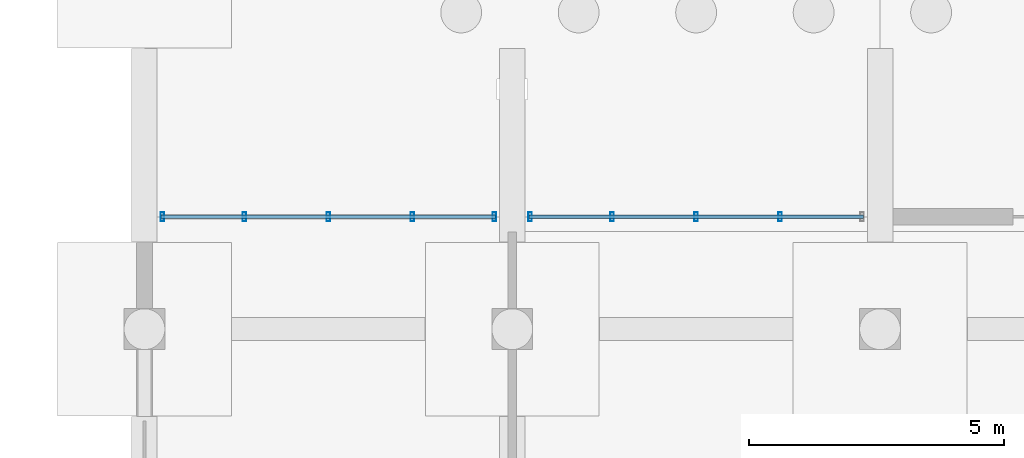
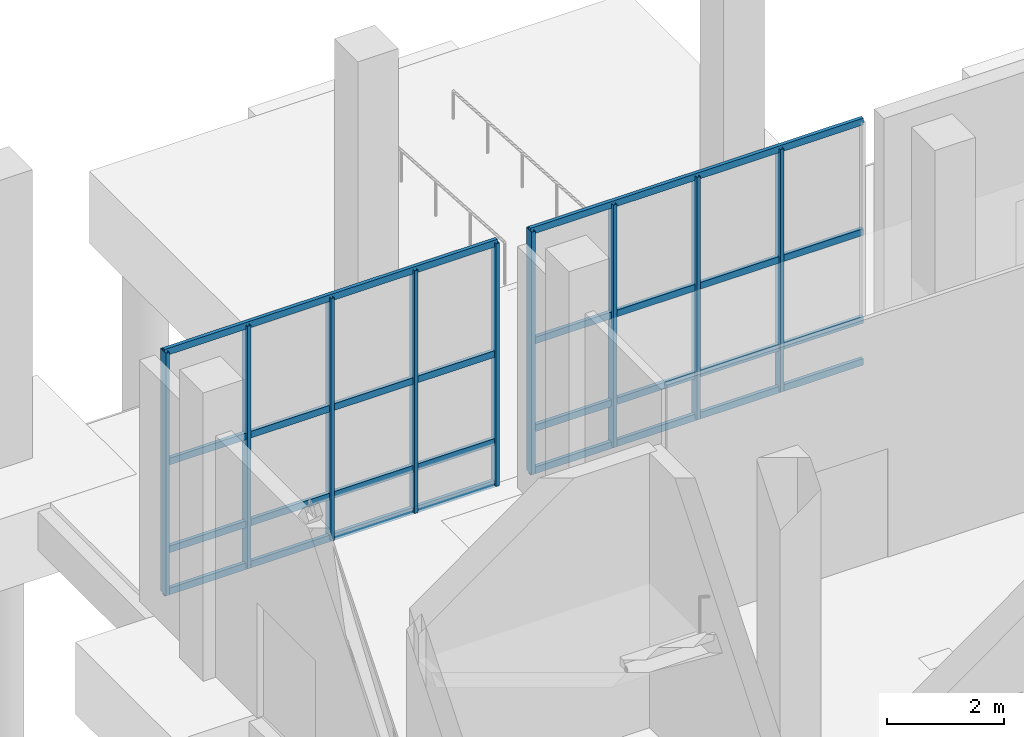
# One storey, part 18 of 45: 17 members, 2 elements without a shape of their own.
"""IFC4 building model written with IfcOpenShell, lengths in metres."""

from ifc_helpers import new_model, si_unit, direction, frame, origin, origin_2d, place, context, subcontext, project, spatial, hollow_rectangle, extrude, material, material_profile, profile_set, type_object, element, aggregate, save


model = new_model("IFC4")

# Units and contexts
model_context = context("Model", 3, precision=1e-05, world=origin(), true_north=direction((0.0, 1.0)))
body_context = subcontext(model_context, "Body", "Model", "MODEL_VIEW")
ifc_project = project(units=[si_unit("LENGTHUNIT", "METRE"), si_unit("AREAUNIT", "SQUARE_METRE"), si_unit("VOLUMEUNIT", "CUBIC_METRE"), si_unit("PLANEANGLEUNIT", "RADIAN"), si_unit("MASSUNIT", "GRAM", prefix="KILO")], contexts=[model_context])

# Site, building, storey
site_placement = place(None, origin())
site = spatial("IfcSite", under=ifc_project, at=site_placement, CompositionType="ELEMENT")
building_placement = place(site_placement, origin())
building = spatial("IfcBuilding", under=site, at=building_placement, Name="Yarey Park Central Fire Station", CompositionType="ELEMENT")
storey_placement = place(building_placement, origin())
storey = spatial("IfcBuildingStorey", under=building, at=storey_placement, Name="L01", CompositionType="ELEMENT", Elevation=0.0)

# Curtain wall, members
ifc_material = material(Name="Anodized Aluminium Frame", Category="aluminium")
curtain_wall_type = type_object("IfcCurtainWallType", Name="ENV_CW_HQ_L01", PredefinedType="NOTDEFINED", material=ifc_material)
curtain_wall_1_placement = place(storey_placement, origin())
curtain_wall_1 = element("IfcCurtainWall", 1, at=curtain_wall_1_placement, inside=storey, type_object=curtain_wall_type, Name="CW_L01_V4_N_1", PredefinedType="NOTDEFINED")
ifc_material_profile_1 = material_profile(ifc_material, hollow_rectangle(XDim=0.070068359375, YDim=0.179931640625, WallThickness=0.00390625, at=origin_2d()), Name="ALU 180x70x4")
ifc_profile_set_1 = profile_set([ifc_material_profile_1], Name="Anodized Aluminium Frame")
member_type_1 = type_object("IfcMemberType", Name="ENV_CW_MULLION", PredefinedType="MULLION", material=ifc_profile_set_1)
member_1_placement = place(storey_placement, frame((122.050048828125, 110.199951171875, 0.0), z_axis=(0.0, 0.0, 1.0), x_axis=(1.0, 0.0, 0.0)))
member_1 = element("IfcMember", 2, at=member_1_placement, type_object=member_type_1, Name="CW_L01_V4_N_1_MUL1", PredefinedType="MULLION", context=body_context, shape_type="SweptSolid", body=[
    extrude(hollow_rectangle(XDim=0.070068359375, YDim=0.179931640625, WallThickness=0.00390625, at=origin_2d()), origin(), (0.0, 0.0, 1.0), 5.050048828125),
])
member_2_placement = place(storey_placement, frame((120.445068359375, 110.199951171875, 0.0), z_axis=(0.0, 0.0, 1.0), x_axis=(1.0, 0.0, 0.0)))
member_2 = element("IfcMember", 3, at=member_2_placement, type_object=member_type_1, Name="CW_L01_V4_N_1_MUL2", PredefinedType="MULLION", context=body_context, shape_type="SweptSolid", body=[
    extrude(hollow_rectangle(XDim=0.070068359375, YDim=0.179931640625, WallThickness=0.00390625, at=origin_2d()), origin(), (0.0, 0.0, 1.0), 5.050048828125),
])
member_3_placement = place(storey_placement, frame((118.800048828125, 110.199951171875, 0.0), z_axis=(0.0, 0.0, 1.0), x_axis=(1.0, 0.0, 0.0)))
member_3 = element("IfcMember", 4, at=member_3_placement, type_object=member_type_1, Name="CW_L01_V4_N_1_MUL3", PredefinedType="MULLION", context=body_context, shape_type="SweptSolid", body=[
    extrude(hollow_rectangle(XDim=0.070068359375, YDim=0.179931640625, WallThickness=0.00390625, at=origin_2d()), origin(), (0.0, 0.0, 1.0), 5.050048828125),
])
member_4_placement = place(storey_placement, frame((117.155029296875, 110.199951171875, 0.0), z_axis=(0.0, 0.0, 1.0), x_axis=(1.0, 0.0, 0.0)))
member_4 = element("IfcMember", 5, at=member_4_placement, type_object=member_type_1, Name="CW_L01_V4_N_1_MUL4", PredefinedType="MULLION", context=body_context, shape_type="SweptSolid", body=[
    extrude(hollow_rectangle(XDim=0.070068359375, YDim=0.179931640625, WallThickness=0.00390625, at=origin_2d()), origin(), (0.0, 0.0, 1.0), 5.050048828125),
])
member_5_placement = place(storey_placement, frame((115.550048828125, 110.199951171875, 0.0), z_axis=(0.0, 0.0, 1.0), x_axis=(1.0, 0.0, 0.0)))
member_5 = element("IfcMember", 6, at=member_5_placement, type_object=member_type_1, Name="CW_L01_V4_N_1_MUL5", PredefinedType="MULLION", context=body_context, shape_type="SweptSolid", body=[
    extrude(hollow_rectangle(XDim=0.070068359375, YDim=0.179931640625, WallThickness=0.00390625, at=origin_2d()), origin(), (0.0, 0.0, 1.0), 5.050048828125),
])

curtain_wall_2_placement = place(storey_placement, origin())
curtain_wall_2 = element("IfcCurtainWall", 7, at=curtain_wall_2_placement, inside=storey, type_object=curtain_wall_type, Name="CW_L01_V4_N_2", PredefinedType="NOTDEFINED")
member_6_placement = place(storey_placement, frame((127.64501953125, 110.199951171875, 0.0), z_axis=(0.0, 0.0, 1.0), x_axis=(1.0, 0.0, 0.0)))
member_6 = element("IfcMember", 8, at=member_6_placement, type_object=member_type_1, Name="CW_L01_V4_N_2_MUL2", PredefinedType="MULLION", context=body_context, shape_type="SweptSolid", body=[
    extrude(hollow_rectangle(XDim=0.070068359375, YDim=0.179931640625, WallThickness=0.00390625, at=origin_2d()), origin(), (0.0, 0.0, 1.0), 5.050048828125),
])
member_7_placement = place(storey_placement, frame((126.0, 110.199951171875, 0.0), z_axis=(0.0, 0.0, 1.0), x_axis=(1.0, 0.0, 0.0)))
member_7 = element("IfcMember", 9, at=member_7_placement, type_object=member_type_1, Name="CW_L01_V4_N_2_MUL3", PredefinedType="MULLION", context=body_context, shape_type="SweptSolid", body=[
    extrude(hollow_rectangle(XDim=0.070068359375, YDim=0.179931640625, WallThickness=0.00390625, at=origin_2d()), origin(), (0.0, 0.0, 1.0), 5.050048828125),
])
member_8_placement = place(storey_placement, frame((124.35498046875, 110.199951171875, 0.0), z_axis=(0.0, 0.0, 1.0), x_axis=(1.0, 0.0, 0.0)))
member_8 = element("IfcMember", 10, at=member_8_placement, type_object=member_type_1, Name="CW_L01_V4_N_2_MUL4", PredefinedType="MULLION", context=body_context, shape_type="SweptSolid", body=[
    extrude(hollow_rectangle(XDim=0.070068359375, YDim=0.179931640625, WallThickness=0.00390625, at=origin_2d()), origin(), (0.0, 0.0, 1.0), 5.050048828125),
])
member_9_placement = place(storey_placement, frame((122.75, 110.199951171875, 0.0), z_axis=(0.0, 0.0, 1.0), x_axis=(1.0, 0.0, 0.0)))
member_9 = element("IfcMember", 11, at=member_9_placement, type_object=member_type_1, Name="CW_L01_V4_N_2_MUL5", PredefinedType="MULLION", context=body_context, shape_type="SweptSolid", body=[
    extrude(hollow_rectangle(XDim=0.070068359375, YDim=0.179931640625, WallThickness=0.00390625, at=origin_2d()), origin(), (0.0, 0.0, 1.0), 5.050048828125),
])

# Member
ifc_material_profile_2 = material_profile(ifc_material, hollow_rectangle(XDim=0.070068359375, YDim=0.139892578125, WallThickness=0.00390625, at=origin_2d()), Name="ALU 140x70x4")
ifc_profile_set_2 = profile_set([ifc_material_profile_2], Name="Anodized Aluminium Frame")
member_type_2 = type_object("IfcMemberType", Name="ENV_CW_TRANSOM", PredefinedType="USERDEFINED", material=ifc_profile_set_2)
member_10_placement = place(storey_placement, frame((122.074951171875, 110.199951171875, 0.02490234375), z_axis=(-1.0, 0.0, 0.0), x_axis=(0.0, -1.0, 0.0)))
member_10 = element("IfcMember", 12, at=member_10_placement, type_object=member_type_2, Name="CW_L01_V4_N_1_TRN1", ObjectType="TRANSOM", PredefinedType="USERDEFINED", context=body_context, shape_type="SweptSolid", body=[
    extrude(hollow_rectangle(XDim=0.070068359375, YDim=0.139892578125, WallThickness=0.00390625, at=origin_2d()), origin(), (0.0, 0.0, 1.0), 6.550048828125),
])

member_11_placement = place(storey_placement, frame((122.074951171875, 110.199951171875, 0.89990234375), z_axis=(-1.0, 0.0, 0.0), x_axis=(0.0, -1.0, 0.0)))
member_11 = element("IfcMember", 13, at=member_11_placement, type_object=member_type_2, Name="CW_L01_V4_N_1_TRN2", ObjectType="TRANSOM", PredefinedType="USERDEFINED", context=body_context, shape_type="SweptSolid", body=[
    extrude(hollow_rectangle(XDim=0.070068359375, YDim=0.139892578125, WallThickness=0.00390625, at=origin_2d()), origin(), (0.0, 0.0, 1.0), 6.550048828125),
])

member_12_placement = place(storey_placement, frame((122.074951171875, 110.199951171875, 2.72705078125), z_axis=(-1.0, 0.0, 0.0), x_axis=(0.0, -1.0, 0.0)))
member_12 = element("IfcMember", 14, at=member_12_placement, type_object=member_type_2, Name="CW_L01_V4_N_1_TRN3", ObjectType="TRANSOM", PredefinedType="USERDEFINED", context=body_context, shape_type="SweptSolid", body=[
    extrude(hollow_rectangle(XDim=0.070068359375, YDim=0.139892578125, WallThickness=0.00390625, at=origin_2d()), origin(), (0.0, 0.0, 1.0), 6.550048828125),
])

member_13_placement = place(storey_placement, frame((122.074951171875, 110.199951171875, 5.02490234375), z_axis=(-1.0, 0.0, 0.0), x_axis=(0.0, -1.0, 0.0)))
member_13 = element("IfcMember", 15, at=member_13_placement, type_object=member_type_2, Name="CW_L01_V4_N_1_TRN4", ObjectType="TRANSOM", PredefinedType="USERDEFINED", context=body_context, shape_type="SweptSolid", body=[
    extrude(hollow_rectangle(XDim=0.070068359375, YDim=0.139892578125, WallThickness=0.00390625, at=origin_2d()), origin(), (0.0, 0.0, 1.0), 6.550048828125),
])

aggregate(curtain_wall_1, [member_1, member_2, member_3, member_4, member_5, member_10, member_11, member_12, member_13])

member_14_placement = place(storey_placement, frame((129.27490234375, 110.199951171875, 0.02490234375), z_axis=(-1.0, 0.0, 0.0), x_axis=(0.0, -1.0, 0.0)))
member_14 = element("IfcMember", 16, at=member_14_placement, type_object=member_type_2, Name="CW_L01_V4_N_2_TRN1", ObjectType="TRANSOM", PredefinedType="USERDEFINED", context=body_context, shape_type="SweptSolid", body=[
    extrude(hollow_rectangle(XDim=0.070068359375, YDim=0.139892578125, WallThickness=0.00390625, at=origin_2d()), origin(), (0.0, 0.0, 1.0), 6.5498046875),
])

member_15_placement = place(storey_placement, frame((129.27490234375, 110.199951171875, 0.89990234375), z_axis=(-1.0, 0.0, 0.0), x_axis=(0.0, -1.0, 0.0)))
member_15 = element("IfcMember", 17, at=member_15_placement, type_object=member_type_2, Name="CW_L01_V4_N_2_TRN2", ObjectType="TRANSOM", PredefinedType="USERDEFINED", context=body_context, shape_type="SweptSolid", body=[
    extrude(hollow_rectangle(XDim=0.070068359375, YDim=0.139892578125, WallThickness=0.00390625, at=origin_2d()), origin(), (0.0, 0.0, 1.0), 6.5498046875),
])

member_16_placement = place(storey_placement, frame((129.27490234375, 110.199951171875, 2.72705078125), z_axis=(-1.0, 0.0, 0.0), x_axis=(0.0, -1.0, 0.0)))
member_16 = element("IfcMember", 18, at=member_16_placement, type_object=member_type_2, Name="CW_L01_V4_N_2_TRN3", ObjectType="TRANSOM", PredefinedType="USERDEFINED", context=body_context, shape_type="SweptSolid", body=[
    extrude(hollow_rectangle(XDim=0.070068359375, YDim=0.139892578125, WallThickness=0.00390625, at=origin_2d()), origin(), (0.0, 0.0, 1.0), 6.5498046875),
])

member_17_placement = place(storey_placement, frame((129.27490234375, 110.199951171875, 5.02490234375), z_axis=(-1.0, 0.0, 0.0), x_axis=(0.0, -1.0, 0.0)))
member_17 = element("IfcMember", 19, at=member_17_placement, type_object=member_type_2, Name="CW_L01_V4_N_2_TRN4", ObjectType="TRANSOM", PredefinedType="USERDEFINED", context=body_context, shape_type="SweptSolid", body=[
    extrude(hollow_rectangle(XDim=0.070068359375, YDim=0.139892578125, WallThickness=0.00390625, at=origin_2d()), origin(), (0.0, 0.0, 1.0), 6.5498046875),
])

aggregate(curtain_wall_2, [member_6, member_7, member_8, member_9, member_14, member_15, member_16, member_17])

save(model, "model.ifc")
